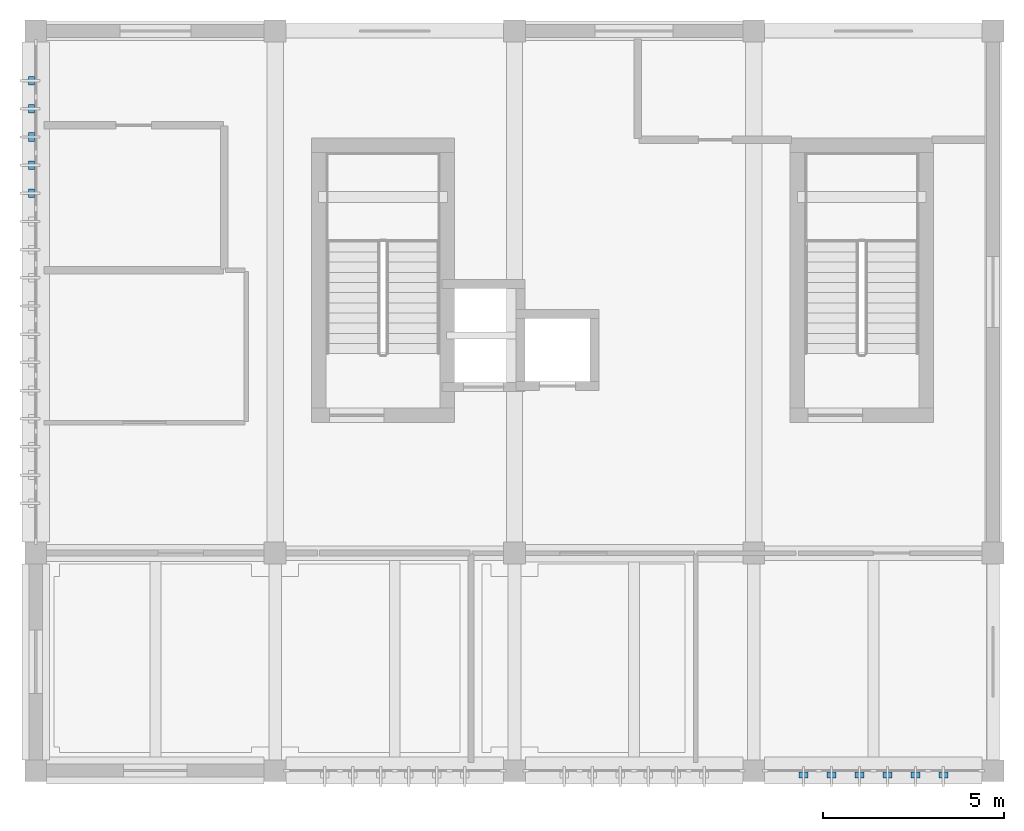
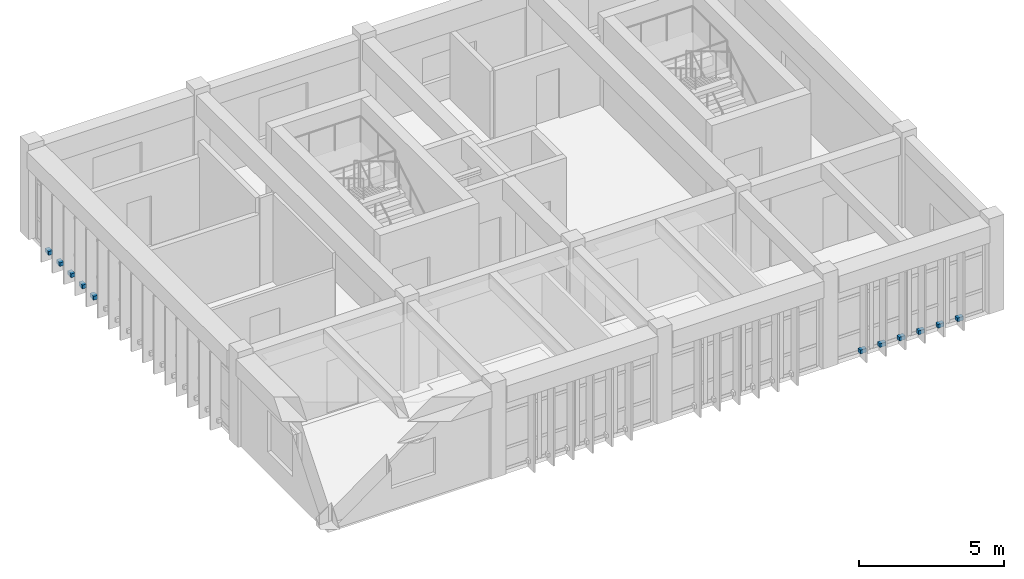
# One storey, part 6 of 7: 11 discrete accessories.
"""IFC4 building model written with IfcOpenShell, lengths in metres."""

from ifc_helpers import new_model, si_unit, direction, frame, origin, origin_2d, place, context, subcontext, project, spatial, rectangle, extrude, material, type_object, element, save


model = new_model("IFC4")

# Units and contexts
model_context = context("Model", 3, precision=1e-05, world=origin(), true_north=direction((0.0, 1.0)))
body_context = subcontext(model_context, "Body", "Model", "MODEL_VIEW")
ifc_project = project(units=[si_unit("LENGTHUNIT", "METRE"), si_unit("AREAUNIT", "SQUARE_METRE"), si_unit("VOLUMEUNIT", "CUBIC_METRE"), si_unit("PLANEANGLEUNIT", "RADIAN"), si_unit("MASSUNIT", "GRAM", prefix="KILO")], contexts=[model_context])

# Site, building, storey
site_placement = place(None, origin())
site = spatial("IfcSite", under=ifc_project, at=site_placement, CompositionType="ELEMENT")
building_placement = place(site_placement, origin())
building = spatial("IfcBuilding", under=site, at=building_placement, Name="Miralva Faculty of Natural Sciences", CompositionType="ELEMENT")
storey_placement = place(building_placement, frame((0.0, 0.0, 40.60009765625)))
storey = spatial("IfcBuildingStorey", under=building, at=storey_placement, Name="L09", CompositionType="ELEMENT", Elevation=40.60009765625)

# Discrete accessories
ifc_material = material(Name="Steel S355", Category="steel")
discrete_accessory_type = type_object("IfcDiscreteAccessoryType", Name="ACC-BRK01", PredefinedType="BRACKET", material=ifc_material)
for number, where, z_axis, x_axis, name in (
    (1, (24.1708984375, 2.8798828125, 0.0400390625), (0.0, 0.0, 1.0), (0.0, -1.0, 0.0), "Solar fin bracket L09-480"),
    (2, (24.9423828125, 2.8798828125, 0.0400390625), (0.0, 0.0, 1.0), (0.0, -1.0, 0.0), "Solar fin bracket L09-481"),
    (3, (25.714111328125, 2.8798828125, 0.0400390625), (0.0, 0.0, 1.0), (0.0, -1.0, 0.0), "Solar fin bracket L09-482"),
    (4, (26.48583984375, 2.8798828125, 0.0400390625), (0.0, 0.0, 1.0), (0.0, -1.0, 0.0), "Solar fin bracket L09-483"),
    (5, (27.257568359375, 2.8798828125, 0.0400390625), (0.0, 0.0, 1.0), (0.0, -1.0, 0.0), "Solar fin bracket L09-484"),
    (6, (28.029296875, 2.8798828125, 0.0400390625), (0.0, 0.0, 1.0), (0.0, -1.0, 0.0), "Solar fin bracket L09-485"),
    (7, (2.8798828125, 18.919189453125, 0.0400390625), (0.0, 0.0, 1.0), (-1.0, 0.0, 0.0), "Solar fin bracket L09-497"),
    (8, (2.8798828125, 19.69580078125, 0.0400390625), (0.0, 0.0, 1.0), (-1.0, 0.0, 0.0), "Solar fin bracket L09-498"),
    (9, (2.8798828125, 20.472900390625, 0.0400390625), (0.0, 0.0, 1.0), (-1.0, 0.0, 0.0), "Solar fin bracket L09-499"),
    (10, (2.8798828125, 21.249755859375, 0.0400390625), (0.0, 0.0, 1.0), (-1.0, 0.0, 0.0), "Solar fin bracket L09-500"),
    (11, (2.8798828125, 22.026611328125, 0.0400390625), (0.0, 0.0, 1.0), (-1.0, 0.0, 0.0), "Solar fin bracket L09-501"),
):
    element("IfcDiscreteAccessory", number, at=place(storey_placement, frame(where, z_axis=z_axis, x_axis=x_axis)), inside=storey, type_object=discrete_accessory_type, Name=name, PredefinedType="BRACKET", context=body_context, shape_type="SweptSolid", body=[
        extrude(rectangle(XDim=0.159912109375, YDim=0.239990234375, at=origin_2d()), origin(), (0.0, 0.0, 1.0), 0.159912109375),
    ])

save(model, "model.ifc")
